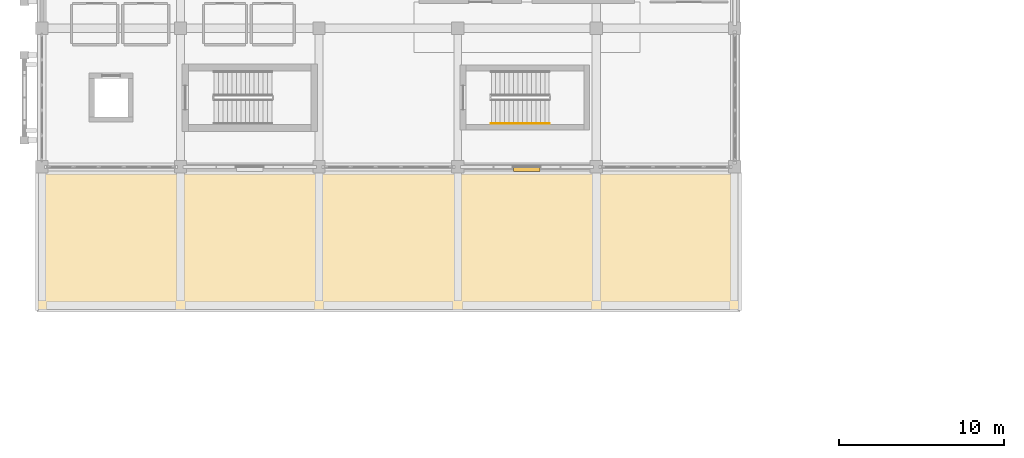
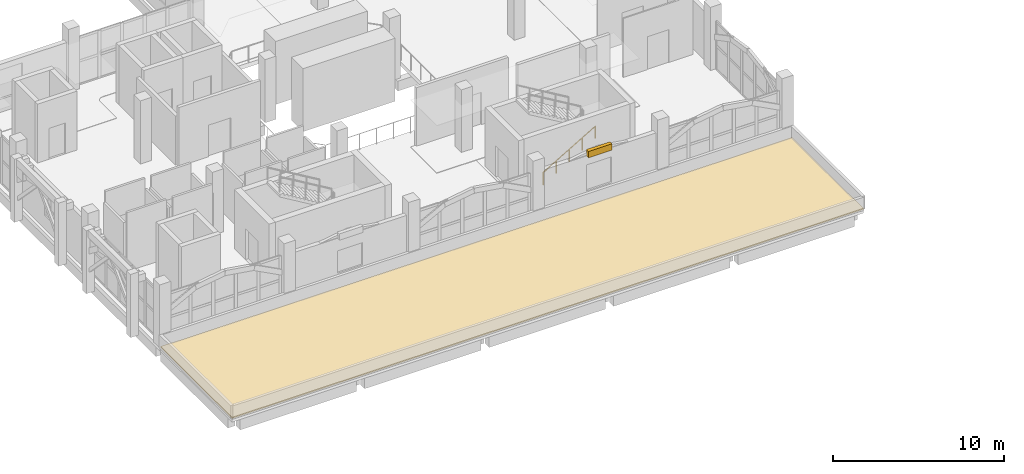
# One storey, part 27 of 30: 1 covering, 1 railing, 1 shading device.
"""IFC4 building model written with IfcOpenShell, lengths in metres."""

from ifc_helpers import new_model, si_unit, direction, frame, origin, origin_2d, place, context, subcontext, project, spatial, polyline, rectangle, circle, outline, extrude, material, layer, layer_set, type_object, element, save


model = new_model("IFC4")

# Units and contexts
model_context = context("Model", 3, precision=1e-05, world=origin(), true_north=direction((0.0, 1.0)))
body_context = subcontext(model_context, "Body", "Model", "MODEL_VIEW")
ifc_project = project(units=[si_unit("LENGTHUNIT", "METRE"), si_unit("AREAUNIT", "SQUARE_METRE"), si_unit("VOLUMEUNIT", "CUBIC_METRE"), si_unit("PLANEANGLEUNIT", "RADIAN"), si_unit("MASSUNIT", "GRAM", prefix="KILO")], contexts=[model_context])

# Site, building, storey
site_placement = place(None, origin())
site = spatial("IfcSite", under=ifc_project, at=site_placement, CompositionType="ELEMENT")
building_placement = place(site_placement, origin())
building = spatial("IfcBuilding", under=site, at=building_placement, Name="Xazarin Passage Department Store", CompositionType="ELEMENT")
storey_placement = place(building_placement, frame((0.0, 0.0, 23.39990234375)))
storey = spatial("IfcBuildingStorey", under=building, at=storey_placement, Name="L05", CompositionType="ELEMENT", Elevation=23.39990234375)

# Covering
ifc_material_1 = material(Name="Insulated waterproof roofing membrane")
ifc_layer_1 = layer(ifc_material_1, 0.080078125)
ifc_layer_set_1 = layer_set([ifc_layer_1], Name="Insulated waterproof roofing membrane")
covering_type = type_object("IfcCoveringType", Name="ARC-COV-RFG080", PredefinedType="ROOFING", material=ifc_layer_set_1)
covering_placement = place(storey_placement, origin())
element("IfcCovering", 1, at=covering_placement, inside=storey, type_object=covering_type, Name="L05 Insulated Roofing Membrane SLB-V1-L05-STEP-1", PredefinedType="ROOFING", context=body_context, shape_type="SweptSolid", body=[
    extrude(outline(polyline([(-0.300048828125, 76.050048828125), (-0.300048828125, 67.699951171875), (42.300048828125, 67.699951171875), (42.300048828125, 76.050048828125), (-0.300048828125, 76.050048828125)])), origin(), (0.0, 0.0, 1.0), 0.080078125),
])

# Railing
ifc_material_2 = material(Name="Steel S355", Category="steel")
railing_type = type_object("IfcRailingType", Name="ARC-RL-HND090", PredefinedType="HANDRAIL", material=ifc_material_2)
railing_placement = place(storey_placement, frame((27.239990234375, 79.030029296875, 0.160888671875)))
element("IfcRailing", 2, at=railing_placement, inside=storey, type_object=railing_type, Name="L05 ST3 stair handrail 1", PredefinedType="HANDRAIL", context=body_context, shape_type="SweptSolid", body=[
    extrude(circle(Radius=0.02392578125, at=origin_2d()), frame((0.0, 0.0, 0.8759765625), z_axis=(0.859312273368, 0.0, 0.511451284914), x_axis=(0.0, 1.0, 0.0)), (0.0, 0.0, 1.0), 4.084716796875),
    extrude(circle(Radius=0.02099609375, at=origin_2d()), origin(), (0.0, 0.0, 1.0), 0.8515625),
    extrude(circle(Radius=0.02099609375, at=origin_2d()), frame((0.87744140625, 0.0, 0.522216796875)), (0.0, 0.0, 1.0), 0.8515625),
    extrude(circle(Radius=0.02099609375, at=origin_2d()), frame((1.7548828125, 0.0, 1.04443359375)), (0.0, 0.0, 1.0), 0.8515625),
    extrude(circle(Radius=0.02099609375, at=origin_2d()), frame((2.632568359375, 0.0, 1.56689453125)), (0.0, 0.0, 1.0), 0.8515625),
    extrude(circle(Radius=0.02099609375, at=origin_2d()), frame((3.510009765625, 0.0, 2.089111328125)), (0.0, 0.0, 1.0), 0.8515625),
])

# Shading device
ifc_material_3 = material(Name="Bronze anodised aluminium", Category="aluminium")
ifc_layer_2 = layer(ifc_material_3, 0.080078125)
ifc_layer_set_2 = layer_set([ifc_layer_2], Name="Bronze anodised aluminium")
shading_device_type = type_object("IfcShadingDeviceType", Name="ARC-SHD-LVR", PredefinedType="JALOUSIE", material=ifc_layer_set_2)
shading_device_placement = place(storey_placement, frame((29.39990234375, 76.22998046875, 3.375), z_axis=(0.0, 0.0, 1.0), x_axis=(1.0, 0.0, 0.0)))
element("IfcShadingDevice", 3, at=shading_device_placement, inside=storey, type_object=shading_device_type, Name="L05 V1 Sun Shading Louvre 08", PredefinedType="JALOUSIE", context=body_context, shape_type="SweptSolid", body=[
    extrude(rectangle(XDim=1.60009765625, YDim=0.239990234375, at=origin_2d()), origin(), (0.0, 0.0, 1.0), 0.449951171875),
])

save(model, "model.ifc")
